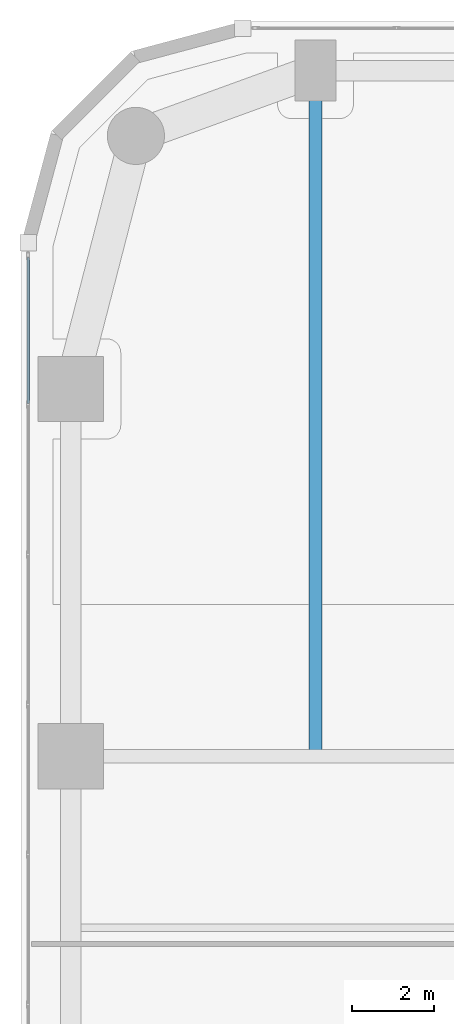
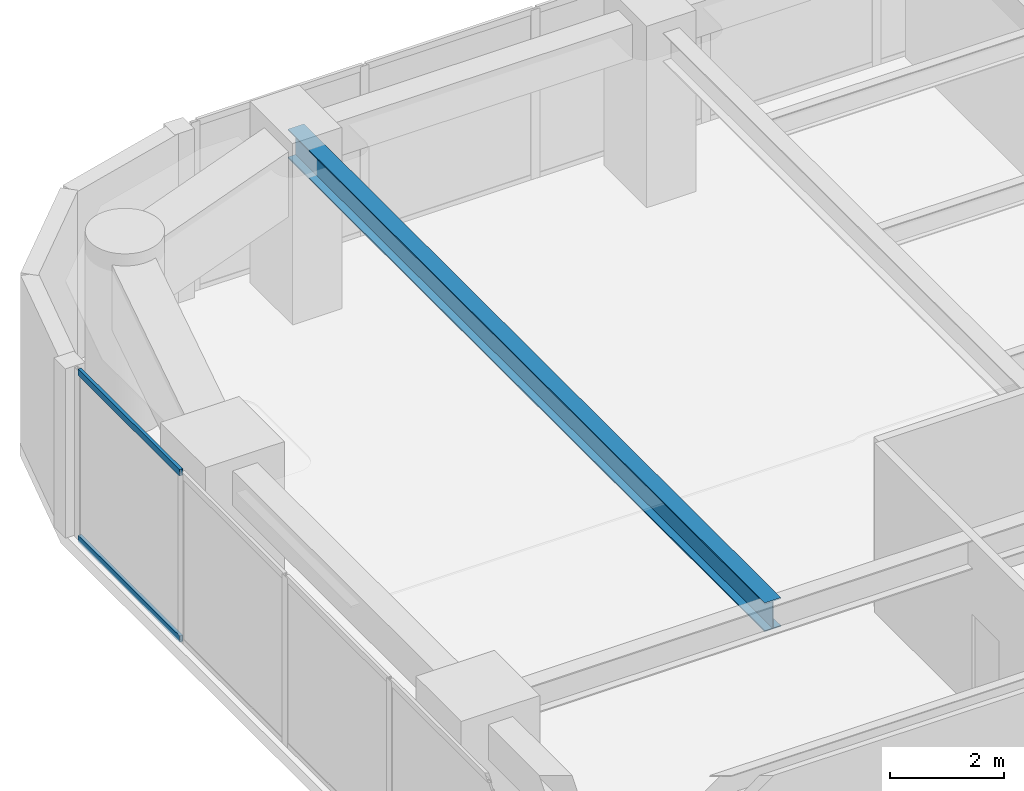
# One storey, part 10 of 24: 2 members, 1 beam, 1 element without a shape of its own.
"""IFC4 building model written with IfcOpenShell, lengths in metres."""

from ifc_helpers import new_model, si_unit, direction, frame, origin, origin_2d, place, context, subcontext, project, spatial, hollow_rectangle, i_section, extrude, material, layer, layer_set, material_profile, profile_set, type_object, element, aggregate, save


model = new_model("IFC4")

# Units and contexts
model_context = context("Model", 3, precision=1e-05, world=origin(), true_north=direction((0.0, 1.0)))
body_context = subcontext(model_context, "Body", "Model", "MODEL_VIEW")
ifc_project = project(units=[si_unit("LENGTHUNIT", "METRE"), si_unit("AREAUNIT", "SQUARE_METRE"), si_unit("VOLUMEUNIT", "CUBIC_METRE"), si_unit("PLANEANGLEUNIT", "RADIAN"), si_unit("MASSUNIT", "GRAM", prefix="KILO")], contexts=[model_context])

# Site, building, storey
site_placement = place(None, origin())
site = spatial("IfcSite", under=ifc_project, at=site_placement, CompositionType="ELEMENT")
building_placement = place(site_placement, origin())
building = spatial("IfcBuilding", under=site, at=building_placement, Name="Kiyonajd Concourse Tower", CompositionType="ELEMENT")
storey_placement = place(building_placement, frame((0.0, 0.0, 85.800048828125)))
storey = spatial("IfcBuildingStorey", under=building, at=storey_placement, Name="L22", CompositionType="ELEMENT", Elevation=85.800048828125)

# Beam
ifc_material_1 = material(Name="Steel ASTM A992 Grade 50", Category="steel")
ifc_material_profile_1 = material_profile(ifc_material_1, i_section(OverallWidth=0.326904296875, OverallDepth=0.6220703125, WebThickness=0.015380859375, FlangeThickness=0.0244140625, at=origin_2d()), Name="W610X195")
ifc_profile_set_1 = profile_set([ifc_material_profile_1], Name="Steel ASTM A992 Grade 50")
beam_type = type_object("IfcBeamType", Name="BM-TWR-610A", PredefinedType="BEAM", material=ifc_profile_set_1)
beam_placement = place(storey_placement, frame((25.199951171875, 44.39990234375, 3.328857421875), z_axis=(0.0, 1.0, 0.0), x_axis=(-1.0, 0.0, 0.0)))
element("IfcBeam", 1, at=beam_placement, inside=storey, type_object=beam_type, Name="L22 North Lease Girder", PredefinedType="BEAM", context=body_context, shape_type="SweptSolid", body=[
    extrude(i_section(OverallWidth=0.326904296875, OverallDepth=0.6220703125, WebThickness=0.015380859375, FlangeThickness=0.0244140625, at=origin_2d()), origin(), (0.0, 0.0, 1.0), 16.800048828125),
])

# Curtain wall, members
ifc_material_2 = material(Name="Thermally Broken Anodised Aluminium", Category="aluminium")
ifc_layer = layer(ifc_material_2, 0.179931640625)
ifc_layer_set = layer_set([ifc_layer], Name="Thermally Broken Anodised Aluminium")
curtain_wall_type = type_object("IfcCurtainWallType", Name="CW-SYS-03", PredefinedType="NOTDEFINED", material=ifc_layer_set)
curtain_wall_placement = place(storey_placement, origin())
curtain_wall = element("IfcCurtainWall", 2, at=curtain_wall_placement, inside=storey, type_object=curtain_wall_type, Name="L22 Unitised Curtain Wall CW3", PredefinedType="NOTDEFINED")
ifc_material_profile_2 = material_profile(ifc_material_2, hollow_rectangle(XDim=0.06494140625, YDim=0.139892578125, WallThickness=0.00390625, at=origin_2d()), Name="TRAN-65x140")
ifc_profile_set_2 = profile_set([ifc_material_profile_2], Name="Thermally Broken Anodised Aluminium")
member_type = type_object("IfcMemberType", Name="MB-CW-TRAN1", PredefinedType="USERDEFINED", material=ifc_profile_set_2)
member_1_placement = place(storey_placement, frame((18.159912109375, 53.04833984375, 0.032470703125), z_axis=(0.0, 1.0, 0.0), x_axis=(-1.0, 0.0, 0.0)))
member_1 = element("IfcMember", 3, at=member_1_placement, type_object=member_type, Name="CW3 transom 6.1", ObjectType="TRANSOM", PredefinedType="USERDEFINED", context=body_context, shape_type="SweptSolid", body=[
    extrude(hollow_rectangle(XDim=0.06494140625, YDim=0.139892578125, WallThickness=0.00390625, at=origin_2d()), origin(), (0.0, 0.0, 1.0), 3.575439453125),
])
member_2_placement = place(storey_placement, frame((18.159912109375, 53.04833984375, 3.607421875), z_axis=(0.0, 1.0, 0.0), x_axis=(-1.0, 0.0, 0.0)))
member_2 = element("IfcMember", 4, at=member_2_placement, type_object=member_type, Name="CW3 transom 6.2", ObjectType="TRANSOM", PredefinedType="USERDEFINED", context=body_context, shape_type="SweptSolid", body=[
    extrude(hollow_rectangle(XDim=0.06494140625, YDim=0.139892578125, WallThickness=0.00390625, at=origin_2d()), origin(), (0.0, 0.0, 1.0), 3.575439453125),
])
aggregate(curtain_wall, [member_1, member_2])

save(model, "model.ifc")
